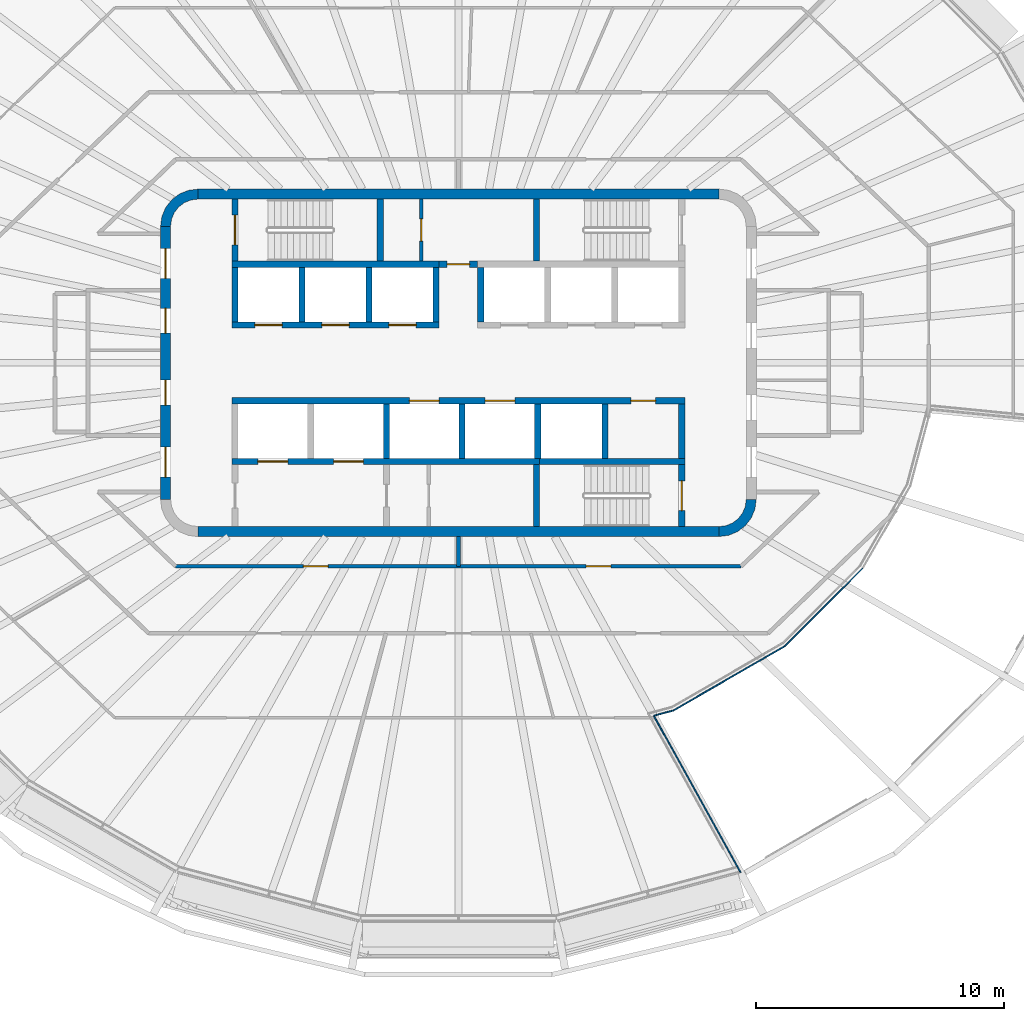
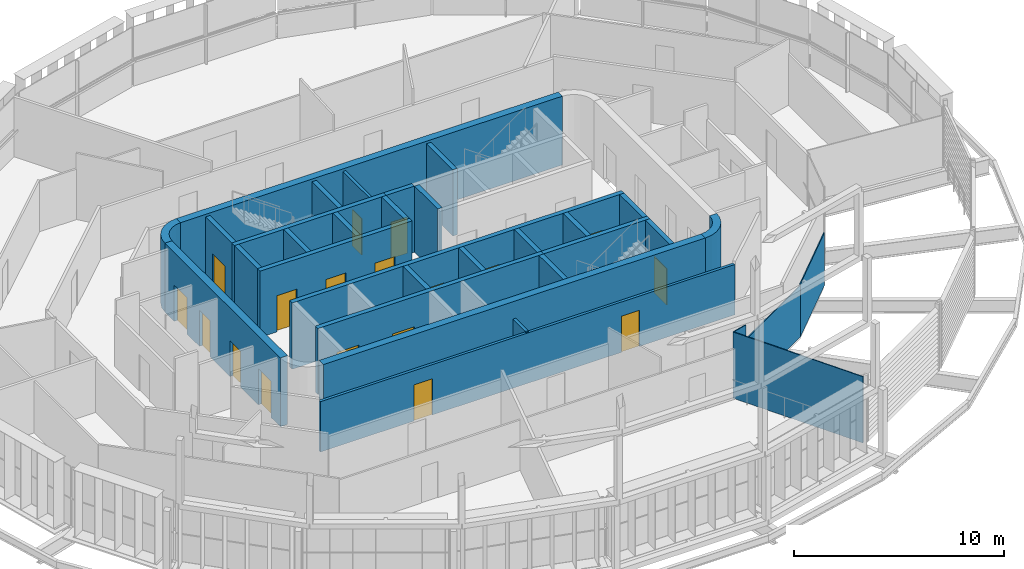
# One storey, part 9 of 18: 33 walls, 18 doors, 18 openings.
"""IFC4 building model written with IfcOpenShell, lengths in metres."""

from ifc_helpers import new_model, si_unit, direction, frame, frame_2d, origin, place, context, subcontext, project, spatial, polyline, rectangle, outline, extrude, material, layer, layer_set, type_object, element, fill, save


model = new_model("IFC4")

# Units and contexts
model_context = context("Model", 3, precision=1e-05, world=origin(), true_north=direction((0.0, 1.0)))
body_context = subcontext(model_context, "Body", "Model", "MODEL_VIEW")
ifc_project = project(units=[si_unit("LENGTHUNIT", "METRE"), si_unit("AREAUNIT", "SQUARE_METRE"), si_unit("VOLUMEUNIT", "CUBIC_METRE"), si_unit("PLANEANGLEUNIT", "RADIAN"), si_unit("MASSUNIT", "GRAM", prefix="KILO")], contexts=[model_context])

# Site, building, storey
site_placement = place(None, origin())
site = spatial("IfcSite", under=ifc_project, at=site_placement, CompositionType="ELEMENT")
building_placement = place(site_placement, origin())
building = spatial("IfcBuilding", under=site, at=building_placement, Name="Sahrelin Media Tower", CompositionType="ELEMENT")
storey_placement = place(building_placement, frame((0.0, 0.0, 308.39990234375)))
storey = spatial("IfcBuildingStorey", under=building, at=storey_placement, Name="L68", CompositionType="ELEMENT", Elevation=308.39990234375)

# Walls
ifc_material_1 = material(Name="Concrete C60/75", Category="concrete")
ifc_layer_1 = layer(ifc_material_1, 0.39990234375)
ifc_layer_set_1 = layer_set([ifc_layer_1], Name="Core wall 400")
wall_type_1 = type_object("IfcWallType", Name="Core wall 400", PredefinedType="SHEAR", material=ifc_layer_set_1)
for number, where, z_axis, x_axis, name in (
    (1, (-10.5, 6.800048828125, 0.0), (0.0, 0.0, 1.0), (1.0, 0.0, 0.0), "Core wall N L68"),
    (2, (-10.5, -6.800048828125, 0.0), (0.0, 0.0, 1.0), (1.0, 0.0, 0.0), "Core wall S L68"),
):
    element("IfcWall", number, at=place(storey_placement, frame(where, z_axis=z_axis, x_axis=x_axis)), inside=storey, type_object=wall_type_1, Name=name, PredefinedType="SHEAR", context=body_context, shape_type="SweptSolid", body=[
        extrude(rectangle(XDim=21.0, YDim=0.39990234375, at=frame_2d((10.5, 0.0))), origin(), (0.0, 0.0, 1.0), 4.0),
    ])

# Wall, openings, doors
wall_1_placement = place(storey_placement, frame((-11.800048828125, -5.5, 0.0), z_axis=(0.0, 0.0, 1.0), x_axis=(0.0, 1.0, 0.0)))
wall_1 = element("IfcWall", 3, at=wall_1_placement, inside=storey, type_object=wall_type_1, Name="Core wall W L68", PredefinedType="SHEAR", context=body_context, shape_type="SweptSolid", body=[
    extrude(rectangle(XDim=11.0, YDim=0.39990234375, at=frame_2d((5.5, 0.0))), origin(), (0.0, 0.0, 1.0), 4.0),
])
opening_1_placement = place(wall_1_placement, frame((3.800048828125, 0.0, 0.0)))
opening_1 = element("IfcOpeningElement", 4, at=opening_1_placement, cuts=wall_1, Name="Opening L68-D10", PredefinedType="OPENING", context=body_context, shape_type="SweptSolid", body=[
    extrude(rectangle(XDim=1.0, YDim=2.10009765625, at=frame_2d((0.5, 1.050048828125))), frame((0.0, 0.199951171875, 0.0), z_axis=(0.0, -1.0, 0.0), x_axis=(1.0, 0.0, 0.0)), (0.0, 0.0, 1.0), 0.39990234375),
])
opening_2_placement = place(wall_1_placement, frame((6.699951171875, 0.0, 0.0)))
opening_2 = element("IfcOpeningElement", 5, at=opening_2_placement, cuts=wall_1, Name="Opening L68-D11", PredefinedType="OPENING", context=body_context, shape_type="SweptSolid", body=[
    extrude(rectangle(XDim=1.0, YDim=2.10009765625, at=frame_2d((0.5, 1.050048828125))), frame((0.0, 0.199951171875, 0.0), z_axis=(0.0, -1.0, 0.0), x_axis=(1.0, 0.0, 0.0)), (0.0, 0.0, 1.0), 0.39990234375),
])
opening_3_placement = place(wall_1_placement, frame((0.89990234375, 0.0, 0.0)))
opening_3 = element("IfcOpeningElement", 6, at=opening_3_placement, cuts=wall_1, Name="Opening L68-D14", PredefinedType="OPENING", context=body_context, shape_type="SweptSolid", body=[
    extrude(rectangle(XDim=1.199951171875, YDim=2.10009765625, at=frame_2d((0.60009765625, 1.050048828125))), frame((0.0, 0.199951171875, 0.0), z_axis=(0.0, -1.0, 0.0), x_axis=(1.0, 0.0, 0.0)), (0.0, 0.0, 1.0), 0.39990234375),
])
opening_4_placement = place(wall_1_placement, frame((8.89990234375, 0.0, 0.0)))
opening_4 = element("IfcOpeningElement", 7, at=opening_4_placement, cuts=wall_1, Name="Opening L68-D15", PredefinedType="OPENING", context=body_context, shape_type="SweptSolid", body=[
    extrude(rectangle(XDim=1.199951171875, YDim=2.10009765625, at=frame_2d((0.60009765625, 1.050048828125))), frame((0.0, 0.199951171875, 0.0), z_axis=(0.0, -1.0, 0.0), x_axis=(1.0, 0.0, 0.0)), (0.0, 0.0, 1.0), 0.39990234375),
])
ifc_material_2 = material(Name="Steel fire door leaf", Category="steel")
door_type_1 = type_object("IfcDoorType", Name="Fire door 1000 x 2100 EI 60", OperationType="NOTDEFINED", PredefinedType="DOOR", material=ifc_material_2)
door_1_placement = place(opening_1_placement, origin())
door_1 = element("IfcDoor", 8, at=door_1_placement, inside=storey, type_object=door_type_1, Name="Core room door", OperationType="SINGLE_SWING_RIGHT", OverallHeight=2.10009765625, OverallWidth=1.0, PredefinedType="DOOR", context=body_context, shape_type="SweptSolid", body=[
    extrude(rectangle(XDim=1.0, YDim=2.10009765625, at=frame_2d((0.5, 1.050048828125))), frame((0.0, 0.02490234375, 0.0), z_axis=(0.0, -1.0, 0.0), x_axis=(1.0, 0.0, 0.0)), (0.0, 0.0, 1.0), 0.050048828125),
])
fill(opening_1, door_1)
door_2_placement = place(opening_2_placement, origin())
door_2 = element("IfcDoor", 9, at=door_2_placement, inside=storey, type_object=door_type_1, Name="Core room door", OperationType="SINGLE_SWING_RIGHT", OverallHeight=2.10009765625, OverallWidth=1.0, PredefinedType="DOOR", context=body_context, shape_type="SweptSolid", body=[
    extrude(rectangle(XDim=1.0, YDim=2.10009765625, at=frame_2d((0.5, 1.050048828125))), frame((0.0, 0.02490234375, 0.0), z_axis=(0.0, -1.0, 0.0), x_axis=(1.0, 0.0, 0.0)), (0.0, 0.0, 1.0), 0.050048828125),
])
fill(opening_2, door_2)
door_type_2 = type_object("IfcDoorType", Name="Lobby door 1200 x 2100 EI 60", OperationType="NOTDEFINED", PredefinedType="DOOR", material=ifc_material_2)
door_3_placement = place(opening_3_placement, origin())
door_3 = element("IfcDoor", 10, at=door_3_placement, inside=storey, type_object=door_type_2, Name="Lobby door", OperationType="SINGLE_SWING_LEFT", OverallHeight=2.10009765625, OverallWidth=1.199951171875, PredefinedType="DOOR", context=body_context, shape_type="SweptSolid", body=[
    extrude(rectangle(XDim=1.199951171875, YDim=2.10009765625, at=frame_2d((0.60009765625, 1.050048828125))), frame((0.0, 0.02490234375, 0.0), z_axis=(0.0, -1.0, 0.0), x_axis=(1.0, 0.0, 0.0)), (0.0, 0.0, 1.0), 0.050048828125),
])
fill(opening_3, door_3)
door_4_placement = place(opening_4_placement, origin())
door_4 = element("IfcDoor", 11, at=door_4_placement, inside=storey, type_object=door_type_2, Name="Lobby door", OperationType="SINGLE_SWING_LEFT", OverallHeight=2.10009765625, OverallWidth=1.199951171875, PredefinedType="DOOR", context=body_context, shape_type="SweptSolid", body=[
    extrude(rectangle(XDim=1.199951171875, YDim=2.10009765625, at=frame_2d((0.60009765625, 1.050048828125))), frame((0.0, 0.02490234375, 0.0), z_axis=(0.0, -1.0, 0.0), x_axis=(1.0, 0.0, 0.0)), (0.0, 0.0, 1.0), 0.050048828125),
])
fill(opening_4, door_4)

# Walls
placement = place(storey_placement, origin())
element("IfcWall", 12, at=placement, inside=storey, type_object=wall_type_1, Name="Core wall corner NW L68", PredefinedType="SHEAR", context=body_context, shape_type="SweptSolid", body=[
    extrude(outline(polyline([(-12.0, 5.5), (-11.596435546875, 5.5), (-11.55908203125, 5.78369140625), (-11.44970703125, 6.04833984375), (-11.275390625, 6.275390625), (-11.04833984375, 6.44970703125), (-10.78369140625, 6.55908203125), (-10.5, 6.596435546875), (-10.5, 7.0), (-10.88818359375, 6.948974609375), (-11.25, 6.799072265625), (-11.560791015625, 6.560791015625), (-11.799072265625, 6.25), (-11.948974609375, 5.88818359375), (-12.0, 5.5)])), origin(), (0.0, 0.0, 1.0), 4.0),
])
element("IfcWall", 13, at=placement, inside=storey, type_object=wall_type_1, Name="Core wall corner SE L68", PredefinedType="SHEAR", context=body_context, shape_type="SweptSolid", body=[
    extrude(outline(polyline([(12.0, -5.5), (11.596435546875, -5.5), (11.55908203125, -5.78369140625), (11.44970703125, -6.04833984375), (11.275390625, -6.275390625), (11.04833984375, -6.44970703125), (10.78369140625, -6.55908203125), (10.5, -6.596435546875), (10.5, -7.0), (10.88818359375, -6.948974609375), (11.25, -6.799072265625), (11.560791015625, -6.560791015625), (11.799072265625, -6.25), (11.948974609375, -5.88818359375), (12.0, -5.5)])), origin(), (0.0, 0.0, 1.0), 4.0),
])

# Wall, opening, door
ifc_material_3 = material(Name="Fire-rated gypsum board partition")
ifc_layer_2 = layer(ifc_material_3, 0.25)
ifc_layer_set_2 = layer_set([ifc_layer_2], Name="Fire-rated lobby wall 250")
wall_type_2 = type_object("IfcWallType", Name="Fire-rated lobby wall 250", PredefinedType="PARTITIONING", material=ifc_layer_set_2)
wall_4_placement = place(storey_placement, frame((-0.77490234375, 3.97509765625, 0.0), z_axis=(0.0, 0.0, 1.0), x_axis=(1.0, 0.0, 0.0)))
wall_4 = element("IfcWall", 14, at=wall_4_placement, inside=storey, type_object=wall_type_2, Name="Core lobby wall", PredefinedType="PARTITIONING", context=body_context, shape_type="SweptSolid", body=[
    extrude(rectangle(XDim=1.5498046875, YDim=0.25, at=frame_2d((0.77490234375, 0.0))), origin(), (0.0, 0.0, 1.0), 3.85009765625),
])
opening_5_placement = place(wall_4_placement, frame((0.324951171875, 0.0, 0.0)))
opening_5 = element("IfcOpeningElement", 15, at=opening_5_placement, cuts=wall_4, Name="Opening L68-D06", PredefinedType="OPENING", context=body_context, shape_type="SweptSolid", body=[
    extrude(rectangle(XDim=0.89990234375, YDim=2.10009765625, at=frame_2d((0.449951171875, 1.050048828125))), frame((0.0, 0.125, 0.0), z_axis=(0.0, -1.0, 0.0), x_axis=(1.0, 0.0, 0.0)), (0.0, 0.0, 1.0), 0.25),
])
door_type_3 = type_object("IfcDoorType", Name="Riser door 900 x 2100 EI 120", OperationType="NOTDEFINED", PredefinedType="DOOR", material=ifc_material_2)
door_5_placement = place(opening_5_placement, origin())
door_5 = element("IfcDoor", 16, at=door_5_placement, inside=storey, type_object=door_type_3, Name="Core room door", OperationType="SINGLE_SWING_LEFT", OverallHeight=2.10009765625, OverallWidth=0.89990234375, PredefinedType="DOOR", context=body_context, shape_type="SweptSolid", body=[
    extrude(rectangle(XDim=0.89990234375, YDim=2.10009765625, at=frame_2d((0.449951171875, 1.050048828125))), frame((0.0, 0.02490234375, 0.0), z_axis=(0.0, -1.0, 0.0), x_axis=(1.0, 0.0, 0.0)), (0.0, 0.0, 1.0), 0.050048828125),
])
fill(opening_5, door_5)

ifc_layer_3 = layer(ifc_material_3, 0.14990234375)
ifc_layer_set_3 = layer_set([ifc_layer_3], Name="Fire-rated partition 150")
wall_type_3 = type_object("IfcWallType", Name="Fire-rated partition 150", PredefinedType="PARTITIONING", material=ifc_layer_set_3)
wall_5_placement = place(storey_placement, frame((-1.5, 4.10009765625, 0.0), z_axis=(0.0, 0.0, 1.0), x_axis=(0.0, 1.0, 0.0)))
wall_5 = element("IfcWall", 17, at=wall_5_placement, inside=storey, type_object=wall_type_3, Name="Core room fire partition", PredefinedType="PARTITIONING", context=body_context, shape_type="SweptSolid", body=[
    extrude(rectangle(XDim=2.5, YDim=0.14990234375, at=frame_2d((1.25, 0.0))), origin(), (0.0, 0.0, 1.0), 3.85009765625),
])
opening_6_placement = place(wall_5_placement, frame((0.800048828125, 0.0, 0.0)))
opening_6 = element("IfcOpeningElement", 18, at=opening_6_placement, cuts=wall_5, Name="Opening L68-D07", PredefinedType="OPENING", context=body_context, shape_type="SweptSolid", body=[
    extrude(rectangle(XDim=0.89990234375, YDim=2.10009765625, at=frame_2d((0.449951171875, 1.050048828125))), frame((0.0, 0.074951171875, 0.0), z_axis=(0.0, -1.0, 0.0), x_axis=(1.0, 0.0, 0.0)), (0.0, 0.0, 1.0), 0.14990234375),
])
door_type_4 = type_object("IfcDoorType", Name="Fire door 900 x 2100 EI 60", OperationType="NOTDEFINED", PredefinedType="DOOR", material=ifc_material_2)
door_6_placement = place(opening_6_placement, origin())
door_6 = element("IfcDoor", 19, at=door_6_placement, inside=storey, type_object=door_type_4, Name="Core room door", OperationType="SINGLE_SWING_LEFT", OverallHeight=2.10009765625, OverallWidth=0.89990234375, PredefinedType="DOOR", context=body_context, shape_type="SweptSolid", body=[
    extrude(rectangle(XDim=0.89990234375, YDim=2.10009765625, at=frame_2d((0.449951171875, 1.050048828125))), frame((0.0, 0.02490234375, 0.0), z_axis=(0.0, -1.0, 0.0), x_axis=(1.0, 0.0, 0.0)), (0.0, 0.0, 1.0), 0.050048828125),
])
fill(opening_6, door_6)

# Wall, openings, doors
wall_6_placement = place(storey_placement, frame((-11.39111328125, -8.198974609375, 0.0), z_axis=(0.0, 0.0, 1.0), x_axis=(1.0, 0.0, 0.0)))
wall_6 = element("IfcWall", 20, at=wall_6_placement, inside=storey, type_object=wall_type_3, Name="Wall", PredefinedType="PARTITIONING", context=body_context, shape_type="SweptSolid", body=[
    extrude(rectangle(XDim=22.7822265625, YDim=0.14990234375, at=frame_2d((11.39111328125, 0.0))), origin(), (0.0, 0.0, 1.0), 2.927001953125),
])
opening_7_placement = place(wall_6_placement, frame((5.14501953125, 0.0, 0.0)))
opening_7 = element("IfcOpeningElement", 21, at=opening_7_placement, cuts=wall_6, Name="Opening L68-D18", PredefinedType="OPENING", context=body_context, shape_type="SweptSolid", body=[
    extrude(rectangle(XDim=1.0, YDim=2.10009765625, at=frame_2d((0.5, 1.050048828125))), frame((0.0, 0.074951171875, 0.0), z_axis=(0.0, -1.0, 0.0), x_axis=(1.0, 0.0, 0.0)), (0.0, 0.0, 1.0), 0.14990234375),
])
opening_8_placement = place(wall_6_placement, frame((16.535888671875, 0.0, 0.0)))
opening_8 = element("IfcOpeningElement", 22, at=opening_8_placement, cuts=wall_6, Name="Opening L68-D19", PredefinedType="OPENING", context=body_context, shape_type="SweptSolid", body=[
    extrude(rectangle(XDim=1.0, YDim=2.10009765625, at=frame_2d((0.5, 1.050048828125))), frame((0.0, 0.074951171875, 0.0), z_axis=(0.0, -1.0, 0.0), x_axis=(1.0, 0.0, 0.0)), (0.0, 0.0, 1.0), 0.14990234375),
])
door_7_placement = place(opening_7_placement, origin())
door_7 = element("IfcDoor", 23, at=door_7_placement, inside=storey, type_object=door_type_1, Name="Fire door", OperationType="SINGLE_SWING_LEFT", OverallHeight=2.10009765625, OverallWidth=1.0, PredefinedType="DOOR", context=body_context, shape_type="SweptSolid", body=[
    extrude(rectangle(XDim=1.0, YDim=2.10009765625, at=frame_2d((0.5, 1.050048828125))), frame((0.0, 0.02490234375, 0.0), z_axis=(0.0, -1.0, 0.0), x_axis=(1.0, 0.0, 0.0)), (0.0, 0.0, 1.0), 0.050048828125),
])
fill(opening_7, door_7)
door_8_placement = place(opening_8_placement, origin())
door_8 = element("IfcDoor", 24, at=door_8_placement, inside=storey, type_object=door_type_1, Name="Fire door", OperationType="SINGLE_SWING_RIGHT", OverallHeight=2.10009765625, OverallWidth=1.0, PredefinedType="DOOR", context=body_context, shape_type="SweptSolid", body=[
    extrude(rectangle(XDim=1.0, YDim=2.10009765625, at=frame_2d((0.5, 1.050048828125))), frame((0.0, 0.02490234375, 0.0), z_axis=(0.0, -1.0, 0.0), x_axis=(1.0, 0.0, 0.0)), (0.0, 0.0, 1.0), 0.050048828125),
])
fill(opening_8, door_8)

# Walls
wall_7_placement = place(storey_placement, frame((0.0, -8.198974609375, 0.0), z_axis=(0.0, 0.0, 1.0), x_axis=(0.0, 1.0, 0.0)))
element("IfcWall", 25, at=wall_7_placement, inside=storey, type_object=wall_type_3, Name="Wall", PredefinedType="PARTITIONING", context=body_context, shape_type="SweptSolid", body=[
    extrude(rectangle(XDim=1.198974609375, YDim=0.14990234375, at=frame_2d((0.599609375, 0.0))), origin(), (0.0, 0.0, 1.0), 2.995361328125),
])
ifc_material_4 = material(Name="Clear glass", Category="glass")
ifc_layer_4 = layer(ifc_material_4, 0.050048828125)
ifc_layer_set_4 = layer_set([ifc_layer_4], Name="Glazed partition 50")
wall_type_4 = type_object("IfcWallType", Name="Glazed partition 50", PredefinedType="PARTITIONING", material=ifc_layer_set_4)
wall_8_placement = place(storey_placement, frame((7.87109375, -14.218017578125, 0.0), z_axis=(0.0, 0.0, 1.0), x_axis=(0.484932931807, -0.874551343061, 0.0)))
element("IfcWall", 26, at=wall_8_placement, inside=storey, type_object=wall_type_4, Name="Wall", PredefinedType="PARTITIONING", context=body_context, shape_type="SweptSolid", body=[
    extrude(rectangle(XDim=7.212890625, YDim=0.050048828125, at=frame_2d((3.6064453125, 0.0))), origin(), (0.0, 0.0, 1.0), 3.85009765625),
])
wall_9_placement = place(storey_placement, frame((7.87109375, -14.218017578125, 0.0), z_axis=(0.0, 0.0, 1.0), x_axis=(0.965937406396, 0.258775823689, 0.0)))
element("IfcWall", 27, at=wall_9_placement, inside=storey, type_object=wall_type_4, Name="Wall", PredefinedType="PARTITIONING", context=body_context, shape_type="SweptSolid", body=[
    extrude(rectangle(XDim=0.81884765625, YDim=0.050048828125, at=frame_2d((0.409423828125, 0.0))), origin(), (0.0, 0.0, 1.0), 3.85009765625),
])
wall_10_placement = place(storey_placement, frame((8.662109375, -14.006103515625, 0.0), z_axis=(0.0, 0.0, 1.0), x_axis=(0.86602493519, 0.500000811628, 0.0)))
element("IfcWall", 28, at=wall_10_placement, inside=storey, type_object=wall_type_4, Name="Wall", PredefinedType="PARTITIONING", context=body_context, shape_type="SweptSolid", body=[
    extrude(rectangle(XDim=5.18798828125, YDim=0.050048828125, at=frame_2d((2.593994140625, 0.0))), origin(), (0.0, 0.0, 1.0), 2.995361328125),
])
wall_11_placement = place(storey_placement, frame((13.155029296875, -11.412109375, 0.0), z_axis=(0.0, 0.0, 1.0), x_axis=(0.707106781187, 0.707106781187, 0.0)))
element("IfcWall", 29, at=wall_11_placement, inside=storey, type_object=wall_type_4, Name="Wall", PredefinedType="PARTITIONING", context=body_context, shape_type="SweptSolid", body=[
    extrude(rectangle(XDim=4.44775390625, YDim=0.050048828125, at=frame_2d((2.223876953125, 0.0))), origin(), (0.0, 0.0, 1.0), 3.076171875),
])

# Wall, openings, doors
ifc_layer_5 = layer(ifc_material_1, 0.25)
ifc_layer_set_5 = layer_set([ifc_layer_5], Name="Lift shaft wall 250")
wall_type_5 = type_object("IfcWallType", Name="Lift shaft wall 250", PredefinedType="SOLIDWALL", material=ifc_layer_set_5)
wall_12_placement = place(storey_placement, frame((-9.125, 1.52490234375, 0.0), z_axis=(0.0, 0.0, 1.0), x_axis=(1.0, 0.0, 0.0)))
wall_12 = element("IfcWall", 30, at=wall_12_placement, inside=storey, type_object=wall_type_5, Name="Lift shaft wall", PredefinedType="SOLIDWALL", context=body_context, shape_type="SweptSolid", body=[
    extrude(rectangle(XDim=8.35009765625, YDim=0.25, at=frame_2d((4.175048828125, 0.0))), origin(), (0.0, 0.0, 1.0), 3.85009765625),
])
opening_9_placement = place(wall_12_placement, frame((0.925048828125, 0.0, 0.0)))
opening_9 = element("IfcOpeningElement", 31, at=opening_9_placement, cuts=wall_12, Name="Opening L68-LD-HR1", PredefinedType="OPENING", context=body_context, shape_type="SweptSolid", body=[
    extrude(rectangle(XDim=1.10009765625, YDim=2.10009765625, at=frame_2d((0.550048828125, 1.050048828125))), frame((0.0, 0.125, 0.0), z_axis=(0.0, -1.0, 0.0), x_axis=(1.0, 0.0, 0.0)), (0.0, 0.0, 1.0), 0.25),
])
opening_10_placement = place(wall_12_placement, frame((3.625, 0.0, 0.0)))
opening_10 = element("IfcOpeningElement", 32, at=opening_10_placement, cuts=wall_12, Name="Opening L68-LD-HR2", PredefinedType="OPENING", context=body_context, shape_type="SweptSolid", body=[
    extrude(rectangle(XDim=1.10009765625, YDim=2.10009765625, at=frame_2d((0.550048828125, 1.050048828125))), frame((0.0, 0.125, 0.0), z_axis=(0.0, -1.0, 0.0), x_axis=(1.0, 0.0, 0.0)), (0.0, 0.0, 1.0), 0.25),
])
opening_11_placement = place(wall_12_placement, frame((6.324951171875, 0.0, 0.0)))
opening_11 = element("IfcOpeningElement", 33, at=opening_11_placement, cuts=wall_12, Name="Opening L68-LD-HR3", PredefinedType="OPENING", context=body_context, shape_type="SweptSolid", body=[
    extrude(rectangle(XDim=1.10009765625, YDim=2.10009765625, at=frame_2d((0.550048828125, 1.050048828125))), frame((0.0, 0.125, 0.0), z_axis=(0.0, -1.0, 0.0), x_axis=(1.0, 0.0, 0.0)), (0.0, 0.0, 1.0), 0.25),
])
ifc_material_5 = material(Name="Stainless steel", Category="steel")
door_type_5 = type_object("IfcDoorType", Name="Lift landing door 1100 x 2100 EI 120", OperationType="DOUBLE_DOOR_SLIDING", PredefinedType="DOOR", material=ifc_material_5)
door_9_placement = place(opening_9_placement, origin())
door_9 = element("IfcDoor", 34, at=door_9_placement, inside=storey, type_object=door_type_5, Name="Lift landing door HR1", OperationType="DOUBLE_DOOR_SLIDING", OverallHeight=2.10009765625, OverallWidth=1.10009765625, PredefinedType="DOOR", context=body_context, shape_type="SweptSolid", body=[
    extrude(rectangle(XDim=1.10009765625, YDim=2.10009765625, at=frame_2d((0.550048828125, 1.050048828125))), frame((0.0, 0.02490234375, 0.0), z_axis=(0.0, -1.0, 0.0), x_axis=(1.0, 0.0, 0.0)), (0.0, 0.0, 1.0), 0.050048828125),
])
fill(opening_9, door_9)
door_10_placement = place(opening_10_placement, origin())
door_10 = element("IfcDoor", 35, at=door_10_placement, inside=storey, type_object=door_type_5, Name="Lift landing door HR2", OperationType="DOUBLE_DOOR_SLIDING", OverallHeight=2.10009765625, OverallWidth=1.10009765625, PredefinedType="DOOR", context=body_context, shape_type="SweptSolid", body=[
    extrude(rectangle(XDim=1.10009765625, YDim=2.10009765625, at=frame_2d((0.550048828125, 1.050048828125))), frame((0.0, 0.02490234375, 0.0), z_axis=(0.0, -1.0, 0.0), x_axis=(1.0, 0.0, 0.0)), (0.0, 0.0, 1.0), 0.050048828125),
])
fill(opening_10, door_10)
door_11_placement = place(opening_11_placement, origin())
door_11 = element("IfcDoor", 36, at=door_11_placement, inside=storey, type_object=door_type_5, Name="Lift landing door HR3", OperationType="DOUBLE_DOOR_SLIDING", OverallHeight=2.10009765625, OverallWidth=1.10009765625, PredefinedType="DOOR", context=body_context, shape_type="SweptSolid", body=[
    extrude(rectangle(XDim=1.10009765625, YDim=2.10009765625, at=frame_2d((0.550048828125, 1.050048828125))), frame((0.0, 0.02490234375, 0.0), z_axis=(0.0, -1.0, 0.0), x_axis=(1.0, 0.0, 0.0)), (0.0, 0.0, 1.0), 0.050048828125),
])
fill(opening_11, door_11)

# Walls
wall_13_placement = place(storey_placement, frame((-9.125, 3.97509765625, 0.0), z_axis=(0.0, 0.0, 1.0), x_axis=(1.0, 0.0, 0.0)))
element("IfcWall", 37, at=wall_13_placement, inside=storey, type_object=wall_type_5, Name="Lift shaft wall", PredefinedType="SOLIDWALL", context=body_context, shape_type="SweptSolid", body=[
    extrude(rectangle(XDim=8.35009765625, YDim=0.25, at=frame_2d((4.175048828125, 0.0))), origin(), (0.0, 0.0, 1.0), 3.85009765625),
])
for number, where, z_axis, x_axis, name in (
    (38, (-9.0, 1.64990234375, 0.0), (0.0, 0.0, 1.0), (0.0, 1.0, 0.0), "Lift shaft wall"),
    (39, (-6.300048828125, 1.64990234375, 0.0), (0.0, 0.0, 1.0), (0.0, 1.0, 0.0), "Lift shaft wall"),
    (40, (-3.60009765625, 1.64990234375, 0.0), (0.0, 0.0, 1.0), (0.0, 1.0, 0.0), "Lift shaft wall"),
    (41, (-0.89990234375, 1.64990234375, 0.0), (0.0, 0.0, 1.0), (0.0, 1.0, 0.0), "Lift shaft wall"),
    (42, (0.89990234375, 1.64990234375, 0.0), (0.0, 0.0, 1.0), (0.0, 1.0, 0.0), "Lift shaft wall"),
):
    element("IfcWall", number, at=place(storey_placement, frame(where, z_axis=z_axis, x_axis=x_axis)), inside=storey, type_object=wall_type_5, Name=name, PredefinedType="SOLIDWALL", context=body_context, shape_type="SweptSolid", body=[
        extrude(rectangle(XDim=2.2001953125, YDim=0.25, at=frame_2d((1.10009765625, 0.0))), origin(), (0.0, 0.0, 1.0), 3.85009765625),
    ])

# Wall, openings, doors
wall_14_placement = place(storey_placement, frame((-9.125, -1.52490234375, 0.0), z_axis=(0.0, 0.0, 1.0), x_axis=(1.0, 0.0, 0.0)))
wall_14 = element("IfcWall", 43, at=wall_14_placement, inside=storey, type_object=wall_type_5, Name="Lift shaft wall", PredefinedType="SOLIDWALL", context=body_context, shape_type="SweptSolid", body=[
    extrude(rectangle(XDim=18.25, YDim=0.25, at=frame_2d((9.125, 0.0))), origin(), (0.0, 0.0, 1.0), 3.85009765625),
])
opening_12_placement = place(wall_14_placement, frame((7.14990234375, 0.0, 0.0)))
opening_12 = element("IfcOpeningElement", 44, at=opening_12_placement, cuts=wall_14, Name="Opening L68-LD-SV1", PredefinedType="OPENING", context=body_context, shape_type="SweptSolid", body=[
    extrude(rectangle(XDim=1.199951171875, YDim=2.10009765625, at=frame_2d((0.60009765625, 1.050048828125))), frame((0.0, 0.125, 0.0), z_axis=(0.0, -1.0, 0.0), x_axis=(1.0, 0.0, 0.0)), (0.0, 0.0, 1.0), 0.25),
])
opening_13_placement = place(wall_14_placement, frame((10.199951171875, 0.0, 0.0)))
opening_13 = element("IfcOpeningElement", 45, at=opening_13_placement, cuts=wall_14, Name="Opening L68-LD-SV2", PredefinedType="OPENING", context=body_context, shape_type="SweptSolid", body=[
    extrude(rectangle(XDim=1.199951171875, YDim=2.10009765625, at=frame_2d((0.60009765625, 1.050048828125))), frame((0.0, 0.125, 0.0), z_axis=(0.0, -1.0, 0.0), x_axis=(1.0, 0.0, 0.0)), (0.0, 0.0, 1.0), 0.25),
])
opening_14_placement = place(wall_14_placement, frame((16.074951171875, 0.0, 0.0)))
opening_14 = element("IfcOpeningElement", 46, at=opening_14_placement, cuts=wall_14, Name="Opening L68-D09", PredefinedType="OPENING", context=body_context, shape_type="SweptSolid", body=[
    extrude(rectangle(XDim=1.0, YDim=2.10009765625, at=frame_2d((0.5, 1.050048828125))), frame((0.0, 0.125, 0.0), z_axis=(0.0, -1.0, 0.0), x_axis=(1.0, 0.0, 0.0)), (0.0, 0.0, 1.0), 0.25),
])
door_12_placement = place(opening_14_placement, origin())
door_12 = element("IfcDoor", 47, at=door_12_placement, inside=storey, type_object=door_type_1, Name="Core room door", OperationType="SINGLE_SWING_RIGHT", OverallHeight=2.10009765625, OverallWidth=1.0, PredefinedType="DOOR", context=body_context, shape_type="SweptSolid", body=[
    extrude(rectangle(XDim=1.0, YDim=2.10009765625, at=frame_2d((0.5, 1.050048828125))), frame((0.0, 0.02490234375, 0.0), z_axis=(0.0, -1.0, 0.0), x_axis=(1.0, 0.0, 0.0)), (0.0, 0.0, 1.0), 0.050048828125),
])
fill(opening_14, door_12)
door_type_6 = type_object("IfcDoorType", Name="Lift landing door 1200 x 2100 EI 120", OperationType="DOUBLE_DOOR_SLIDING", PredefinedType="DOOR", material=ifc_material_5)
door_13_placement = place(opening_12_placement, origin())
door_13 = element("IfcDoor", 48, at=door_13_placement, inside=storey, type_object=door_type_6, Name="Lift landing door SV1", OperationType="DOUBLE_DOOR_SLIDING", OverallHeight=2.10009765625, OverallWidth=1.199951171875, PredefinedType="DOOR", context=body_context, shape_type="SweptSolid", body=[
    extrude(rectangle(XDim=1.199951171875, YDim=2.10009765625, at=frame_2d((0.60009765625, 1.050048828125))), frame((0.0, 0.02490234375, 0.0), z_axis=(0.0, -1.0, 0.0), x_axis=(1.0, 0.0, 0.0)), (0.0, 0.0, 1.0), 0.050048828125),
])
fill(opening_12, door_13)
door_14_placement = place(opening_13_placement, origin())
door_14 = element("IfcDoor", 49, at=door_14_placement, inside=storey, type_object=door_type_6, Name="Lift landing door SV2", OperationType="DOUBLE_DOOR_SLIDING", OverallHeight=2.10009765625, OverallWidth=1.199951171875, PredefinedType="DOOR", context=body_context, shape_type="SweptSolid", body=[
    extrude(rectangle(XDim=1.199951171875, YDim=2.10009765625, at=frame_2d((0.60009765625, 1.050048828125))), frame((0.0, 0.02490234375, 0.0), z_axis=(0.0, -1.0, 0.0), x_axis=(1.0, 0.0, 0.0)), (0.0, 0.0, 1.0), 0.050048828125),
])
fill(opening_13, door_14)

wall_15_placement = place(storey_placement, frame((-9.125, -3.97509765625, 0.0), z_axis=(0.0, 0.0, 1.0), x_axis=(1.0, 0.0, 0.0)))
wall_15 = element("IfcWall", 50, at=wall_15_placement, inside=storey, type_object=wall_type_5, Name="Lift shaft wall", PredefinedType="SOLIDWALL", context=body_context, shape_type="SweptSolid", body=[
    extrude(rectangle(XDim=12.39990234375, YDim=0.25, at=frame_2d((6.199951171875, 0.0))), origin(), (0.0, 0.0, 1.0), 3.85009765625),
])
opening_15_placement = place(wall_15_placement, frame((1.050048828125, 0.0, 0.0)))
opening_15 = element("IfcOpeningElement", 51, at=opening_15_placement, cuts=wall_15, Name="Opening L68-LD-FF1", PredefinedType="OPENING", context=body_context, shape_type="SweptSolid", body=[
    extrude(rectangle(XDim=1.199951171875, YDim=2.10009765625, at=frame_2d((0.60009765625, 1.050048828125))), frame((0.0, 0.125, 0.0), z_axis=(0.0, -1.0, 0.0), x_axis=(1.0, 0.0, 0.0)), (0.0, 0.0, 1.0), 0.25),
])
opening_16_placement = place(wall_15_placement, frame((4.10009765625, 0.0, 0.0)))
opening_16 = element("IfcOpeningElement", 52, at=opening_16_placement, cuts=wall_15, Name="Opening L68-LD-FF2", PredefinedType="OPENING", context=body_context, shape_type="SweptSolid", body=[
    extrude(rectangle(XDim=1.199951171875, YDim=2.10009765625, at=frame_2d((0.60009765625, 1.050048828125))), frame((0.0, 0.125, 0.0), z_axis=(0.0, -1.0, 0.0), x_axis=(1.0, 0.0, 0.0)), (0.0, 0.0, 1.0), 0.25),
])
door_15_placement = place(opening_15_placement, origin())
door_15 = element("IfcDoor", 53, at=door_15_placement, inside=storey, type_object=door_type_6, Name="Lift landing door FF1", OperationType="DOUBLE_DOOR_SLIDING", OverallHeight=2.10009765625, OverallWidth=1.199951171875, PredefinedType="DOOR", context=body_context, shape_type="SweptSolid", body=[
    extrude(rectangle(XDim=1.199951171875, YDim=2.10009765625, at=frame_2d((0.60009765625, 1.050048828125))), frame((0.0, 0.02490234375, 0.0), z_axis=(0.0, -1.0, 0.0), x_axis=(1.0, 0.0, 0.0)), (0.0, 0.0, 1.0), 0.050048828125),
])
fill(opening_15, door_15)
door_16_placement = place(opening_16_placement, origin())
door_16 = element("IfcDoor", 54, at=door_16_placement, inside=storey, type_object=door_type_6, Name="Lift landing door FF2", OperationType="DOUBLE_DOOR_SLIDING", OverallHeight=2.10009765625, OverallWidth=1.199951171875, PredefinedType="DOOR", context=body_context, shape_type="SweptSolid", body=[
    extrude(rectangle(XDim=1.199951171875, YDim=2.10009765625, at=frame_2d((0.60009765625, 1.050048828125))), frame((0.0, 0.02490234375, 0.0), z_axis=(0.0, -1.0, 0.0), x_axis=(1.0, 0.0, 0.0)), (0.0, 0.0, 1.0), 0.050048828125),
])
fill(opening_16, door_16)

# Walls
wall_16_placement = place(storey_placement, frame((3.27490234375, -3.97509765625, 0.0), z_axis=(0.0, 0.0, 1.0), x_axis=(1.0, 0.0, 0.0)))
element("IfcWall", 55, at=wall_16_placement, inside=storey, type_object=wall_type_5, Name="Lift shaft wall", PredefinedType="SOLIDWALL", context=body_context, shape_type="SweptSolid", body=[
    extrude(rectangle(XDim=5.85009765625, YDim=0.25, at=frame_2d((2.925048828125, 0.0))), origin(), (0.0, 0.0, 1.0), 3.85009765625),
])
for number, where, z_axis, x_axis, name in (
    (56, (-2.89990234375, -3.85009765625, 0.0), (0.0, 0.0, 1.0), (0.0, 1.0, 0.0), "Lift shaft wall"),
    (57, (0.14990234375, -3.85009765625, 0.0), (0.0, 0.0, 1.0), (0.0, 1.0, 0.0), "Lift shaft wall"),
    (58, (3.199951171875, -3.85009765625, 0.0), (0.0, 0.0, 1.0), (0.0, 1.0, 0.0), "Lift shaft wall"),
    (59, (5.89990234375, -3.85009765625, 0.0), (0.0, 0.0, 1.0), (0.0, 1.0, 0.0), "Lift shaft wall"),
    (60, (9.0, -3.85009765625, 0.0), (0.0, 0.0, 1.0), (0.0, 1.0, 0.0), "Lift shaft wall"),
):
    element("IfcWall", number, at=place(storey_placement, frame(where, z_axis=z_axis, x_axis=x_axis)), inside=storey, type_object=wall_type_5, Name=name, PredefinedType="SOLIDWALL", context=body_context, shape_type="SweptSolid", body=[
        extrude(rectangle(XDim=2.2001953125, YDim=0.25, at=frame_2d((1.10009765625, 0.0))), origin(), (0.0, 0.0, 1.0), 3.85009765625),
    ])

# Wall, opening, door
ifc_layer_6 = layer(ifc_material_1, 0.25)
ifc_layer_set_6 = layer_set([ifc_layer_6], Name="Stair enclosure wall 250")
wall_type_6 = type_object("IfcWallType", Name="Stair enclosure wall 250", PredefinedType="SOLIDWALL", material=ifc_layer_set_6)
wall_17_placement = place(storey_placement, frame((-9.0, 4.10009765625, 0.0), z_axis=(0.0, 0.0, 1.0), x_axis=(0.0, 1.0, 0.0)))
wall_17 = element("IfcWall", 61, at=wall_17_placement, inside=storey, type_object=wall_type_6, Name="Stair enclosure wall", PredefinedType="SOLIDWALL", context=body_context, shape_type="SweptSolid", body=[
    extrude(rectangle(XDim=2.5, YDim=0.25, at=frame_2d((1.25, 0.0))), origin(), (0.0, 0.0, 1.0), 3.85009765625),
])
opening_17_placement = place(wall_17_placement, frame((0.64990234375, 0.0, 0.0)))
opening_17 = element("IfcOpeningElement", 62, at=opening_17_placement, cuts=wall_17, Name="Opening L68-D01", PredefinedType="OPENING", context=body_context, shape_type="SweptSolid", body=[
    extrude(rectangle(XDim=1.199951171875, YDim=2.10009765625, at=frame_2d((0.60009765625, 1.050048828125))), frame((0.0, 0.125, 0.0), z_axis=(0.0, -1.0, 0.0), x_axis=(1.0, 0.0, 0.0)), (0.0, 0.0, 1.0), 0.25),
])
door_type_7 = type_object("IfcDoorType", Name="Stair door 1200 x 2100 EI 120", OperationType="NOTDEFINED", PredefinedType="DOOR", material=ifc_material_2)
door_17_placement = place(opening_17_placement, origin())
door_17 = element("IfcDoor", 63, at=door_17_placement, inside=storey, type_object=door_type_7, Name="Stair door ST1", OperationType="SINGLE_SWING_RIGHT", OverallHeight=2.10009765625, OverallWidth=1.199951171875, PredefinedType="DOOR", context=body_context, shape_type="SweptSolid", body=[
    extrude(rectangle(XDim=1.199951171875, YDim=2.10009765625, at=frame_2d((0.60009765625, 1.050048828125))), frame((0.0, 0.02490234375, 0.0), z_axis=(0.0, -1.0, 0.0), x_axis=(1.0, 0.0, 0.0)), (0.0, 0.0, 1.0), 0.050048828125),
])
fill(opening_17, door_17)

wall_18_placement = place(storey_placement, frame((9.0, -6.60009765625, 0.0), z_axis=(0.0, 0.0, 1.0), x_axis=(0.0, 1.0, 0.0)))
wall_18 = element("IfcWall", 64, at=wall_18_placement, inside=storey, type_object=wall_type_6, Name="Stair enclosure wall", PredefinedType="SOLIDWALL", context=body_context, shape_type="SweptSolid", body=[
    extrude(rectangle(XDim=2.5, YDim=0.25, at=frame_2d((1.25, 0.0))), origin(), (0.0, 0.0, 1.0), 3.85009765625),
])
opening_18_placement = place(wall_18_placement, frame((0.64990234375, 0.0, 0.0)))
opening_18 = element("IfcOpeningElement", 65, at=opening_18_placement, cuts=wall_18, Name="Opening L68-D03", PredefinedType="OPENING", context=body_context, shape_type="SweptSolid", body=[
    extrude(rectangle(XDim=1.199951171875, YDim=2.10009765625, at=frame_2d((0.60009765625, 1.050048828125))), frame((0.0, 0.125, 0.0), z_axis=(0.0, -1.0, 0.0), x_axis=(1.0, 0.0, 0.0)), (0.0, 0.0, 1.0), 0.25),
])
door_18_placement = place(opening_18_placement, origin())
door_18 = element("IfcDoor", 66, at=door_18_placement, inside=storey, type_object=door_type_7, Name="Stair door ST2", OperationType="SINGLE_SWING_LEFT", OverallHeight=2.10009765625, OverallWidth=1.199951171875, PredefinedType="DOOR", context=body_context, shape_type="SweptSolid", body=[
    extrude(rectangle(XDim=1.199951171875, YDim=2.10009765625, at=frame_2d((0.60009765625, 1.050048828125))), frame((0.0, 0.02490234375, 0.0), z_axis=(0.0, -1.0, 0.0), x_axis=(1.0, 0.0, 0.0)), (0.0, 0.0, 1.0), 0.050048828125),
])
fill(opening_18, door_18)

# Walls
for number, where, z_axis, x_axis, name in (
    (67, (-3.14990234375, 4.10009765625, 0.0), (0.0, 0.0, 1.0), (0.0, 1.0, 0.0), "Stair enclosure wall"),
    (68, (3.14990234375, 4.10009765625, 0.0), (0.0, 0.0, 1.0), (0.0, 1.0, 0.0), "Stair enclosure wall"),
    (69, (3.14990234375, -6.60009765625, 0.0), (0.0, 0.0, 1.0), (0.0, 1.0, 0.0), "Stair enclosure wall"),
):
    element("IfcWall", number, at=place(storey_placement, frame(where, z_axis=z_axis, x_axis=x_axis)), inside=storey, type_object=wall_type_6, Name=name, PredefinedType="SOLIDWALL", context=body_context, shape_type="SweptSolid", body=[
        extrude(rectangle(XDim=2.5, YDim=0.25, at=frame_2d((1.25, 0.0))), origin(), (0.0, 0.0, 1.0), 3.85009765625),
    ])

save(model, "model.ifc")
